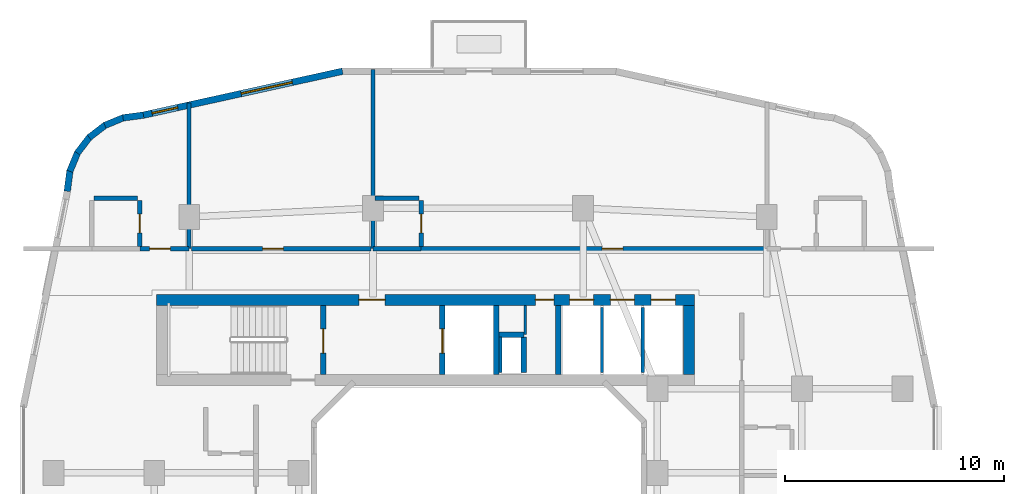
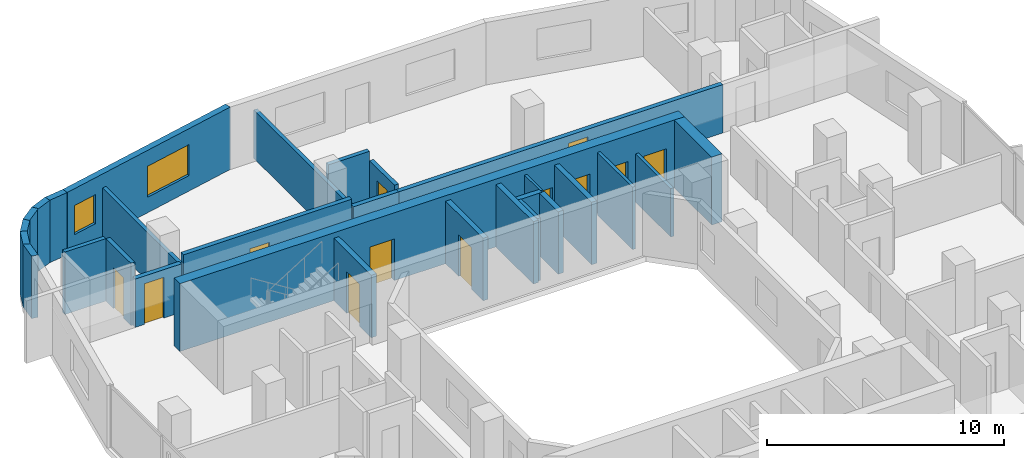
# One storey, part 11 of 22: 29 walls, 12 doors, 2 windows, 14 openings.
"""IFC4 building model written with IfcOpenShell, lengths in metres."""

from ifc_helpers import new_model, si_unit, derived_unit, direction, frame, frame_2d, origin, place, context, subcontext, project, spatial, rectangle, extrude, material, layer, layer_set, type_object, element, fill, save


model = new_model("IFC4")

# Units and contexts
model_context = context("Model", 3, precision=1e-05, world=origin(), true_north=direction((0.0, 1.0)))
body_context = subcontext(model_context, "Body", "Model", "MODEL_VIEW")
ifc_project = project(units=[si_unit("LENGTHUNIT", "METRE"), si_unit("AREAUNIT", "SQUARE_METRE"), si_unit("VOLUMEUNIT", "CUBIC_METRE"), si_unit("PLANEANGLEUNIT", "RADIAN"), si_unit("MASSUNIT", "GRAM", prefix="KILO"), derived_unit("THERMALTRANSMITTANCEUNIT", [(si_unit("POWERUNIT", "WATT"), 1), (si_unit("LENGTHUNIT", "METRE"), -2), (si_unit("THERMODYNAMICTEMPERATUREUNIT", "KELVIN"), -1)])], contexts=[model_context])

# Site, building, storey
site_placement = place(None, origin())
site = spatial("IfcSite", under=ifc_project, at=site_placement, CompositionType="ELEMENT")
building_placement = place(site_placement, origin())
building = spatial("IfcBuilding", under=site, at=building_placement, Name="Kivonza Crest Hotel", CompositionType="ELEMENT")
storey_placement = place(building_placement, frame((0.0, 0.0, 69.5)))
storey = spatial("IfcBuildingStorey", under=building, at=storey_placement, Name="L18", CompositionType="ELEMENT", Elevation=69.5)

# Walls
ifc_material_1 = material(Name="High-density acoustic masonry inter-tenancy wall", Category="masonry")
ifc_layer_1 = layer(ifc_material_1, 0.179931640625)
ifc_layer_set_1 = layer_set([ifc_layer_1], Name="High-density acoustic masonry inter-tenancy wall")
wall_type_1 = type_object("IfcWallType", Name="WL-ACOU-180", PredefinedType="SOLIDWALL", material=ifc_layer_set_1)
wall_1_placement = place(storey_placement, frame((7.800048828125, 38.75, 0.0), z_axis=(0.0, 0.0, 1.0), x_axis=(0.0, 1.0, 0.0)))
element("IfcWall", 1, at=wall_1_placement, inside=storey, type_object=wall_type_1, Name="L18 interior partition WA-L18-T1N-DIV1", PredefinedType="SOLIDWALL", context=body_context, shape_type="SweptSolid", body=[
    extrude(rectangle(XDim=6.656005859375, YDim=0.179931640625, at=frame_2d((3.328125, 0.0))), origin(), (0.0, 0.0, 1.0), 2.4951171875),
])
wall_2_placement = place(storey_placement, frame((16.199951171875, 38.75, 0.0), z_axis=(0.0, 0.0, 1.0), x_axis=(0.0, 1.0, 0.0)))
element("IfcWall", 2, at=wall_2_placement, inside=storey, type_object=wall_type_1, Name="L18 interior partition WA-L18-T1N-DIV2", PredefinedType="SOLIDWALL", context=body_context, shape_type="SweptSolid", body=[
    extrude(rectangle(XDim=8.18994140625, YDim=0.179931640625, at=frame_2d((4.094970703125, 0.0))), origin(), (0.0, 0.0, 1.0), 2.4951171875),
])

# Wall, opening, door
ifc_material_2 = material(Name="Autoclaved aerated concrete blockwork", Category="masonry")
ifc_layer_2 = layer(ifc_material_2, 0.219970703125)
ifc_layer_set_2 = layer_set([ifc_layer_2], Name="Autoclaved aerated concrete blockwork")
wall_type_2 = type_object("IfcWallType", Name="WL-ACOU-220", PredefinedType="SOLIDWALL", material=ifc_layer_set_2)
wall_3_placement = place(storey_placement, frame((5.550048828125, 38.75, 0.0), z_axis=(0.0, 0.0, 1.0), x_axis=(1.0, 0.0, 0.0)))
wall_3 = element("IfcWall", 3, at=wall_3_placement, inside=storey, type_object=wall_type_2, Name="L18 interior partition WA-L18-N01-MCORR", PredefinedType="SOLIDWALL", context=body_context, shape_type="SweptSolid", body=[
    extrude(rectangle(XDim=2.25, YDim=0.219970703125, at=frame_2d((1.125, 0.0))), origin(), (0.0, 0.0, 1.0), 2.4951171875),
])
opening_1_placement = place(wall_3_placement, frame((0.43994140625, 0.0, 0.0)))
opening_1 = element("IfcOpeningElement", 4, at=opening_1_placement, cuts=wall_3, Name="Opening DU-60", PredefinedType="OPENING", context=body_context, shape_type="SweptSolid", body=[
    extrude(rectangle(XDim=0.949951171875, YDim=2.10009765625, at=frame_2d((0.47509765625, 1.050048828125))), frame((0.0, 0.1201171875, 0.0), z_axis=(0.0, -1.0, 0.0), x_axis=(1.0, 0.0, 0.0)), (0.0, 0.0, 1.0), 0.239990234375),
])
ifc_material_3 = material(Name="Hardwood timber oak", Category="wood")
door_type_1 = type_object("IfcDoorType", Name="DR-UNIT-950", OperationType="NOTDEFINED", PredefinedType="DOOR", material=ifc_material_3)
door_1_placement = place(opening_1_placement, origin())
door_1 = element("IfcDoor", 5, at=door_1_placement, inside=storey, type_object=door_type_1, Name="L18 N01 guest unit entrance fire door", OperationType="SINGLE_SWING_LEFT", OverallHeight=2.10009765625, OverallWidth=0.949951171875, PredefinedType="DOOR", context=body_context, shape_type="SweptSolid", body=[
    extrude(rectangle(XDim=0.949951171875, YDim=2.10009765625, at=frame_2d((0.47509765625, 1.050048828125))), frame((0.0, 0.02490234375, 0.0), z_axis=(0.0, -1.0, 0.0), x_axis=(1.0, 0.0, 0.0)), (0.0, 0.0, 1.0), 0.050048828125),
])
fill(opening_1, door_1)

wall_4_placement = place(storey_placement, frame((7.89990234375, 38.75, 0.0), z_axis=(0.0, 0.0, 1.0), x_axis=(1.0, 0.0, 0.0)))
wall_4 = element("IfcWall", 6, at=wall_4_placement, inside=storey, type_object=wall_type_2, Name="L18 interior partition WA-L18-HK-MAIN-S", PredefinedType="SOLIDWALL", context=body_context, shape_type="SweptSolid", body=[
    extrude(rectangle(XDim=8.2001953125, YDim=0.219970703125, at=frame_2d((4.10009765625, 0.0))), origin(), (0.0, 0.0, 1.0), 2.925048828125),
])
opening_2_placement = place(wall_4_placement, frame((3.251953125, 0.0, 0.0)))
opening_2 = element("IfcOpeningElement", 7, at=opening_2_placement, cuts=wall_4, Name="Opening DF-60S", PredefinedType="OPENING", context=body_context, shape_type="SweptSolid", body=[
    extrude(rectangle(XDim=0.949951171875, YDim=2.10009765625, at=frame_2d((0.47509765625, 1.050048828125))), frame((0.0, 0.1201171875, 0.0), z_axis=(0.0, -1.0, 0.0), x_axis=(1.0, 0.0, 0.0)), (0.0, 0.0, 1.0), 0.239990234375),
])
door_type_2 = type_object("IfcDoorType", Name="DR-FD60-950", OperationType="NOTDEFINED", PredefinedType="DOOR", material=ifc_material_3)
door_2_placement = place(opening_2_placement, origin())
door_2 = element("IfcDoor", 8, at=door_2_placement, inside=storey, type_object=door_type_2, Name="L18 Housekeeping and Linen Room door", OperationType="SINGLE_SWING_RIGHT", OverallHeight=2.10009765625, OverallWidth=0.949951171875, PredefinedType="DOOR", context=body_context, shape_type="SweptSolid", body=[
    extrude(rectangle(XDim=0.949951171875, YDim=2.10009765625, at=frame_2d((0.47509765625, 1.050048828125))), frame((0.0, 0.02490234375, 0.0), z_axis=(0.0, -1.0, 0.0), x_axis=(1.0, 0.0, 0.0)), (0.0, 0.0, 1.0), 0.050048828125),
])
fill(opening_2, door_2)

# Wall
wall_5_placement = place(storey_placement, frame((16.199951171875, 38.75, 0.0), z_axis=(0.0, 0.0, 1.0), x_axis=(1.0, 0.0, 0.0)))
element("IfcWall", 9, at=wall_5_placement, inside=storey, type_object=wall_type_2, Name="L18 interior partition WA-L18-N02-BCORR", PredefinedType="SOLIDWALL", context=body_context, shape_type="SweptSolid", body=[
    extrude(rectangle(XDim=2.199951171875, YDim=0.219970703125, at=frame_2d((1.10009765625, 0.0))), origin(), (0.0, 0.0, 1.0), 2.4951171875),
])

# Wall, opening, door
wall_6_placement = place(storey_placement, frame((18.39990234375, 38.75, 0.0), z_axis=(0.0, 0.0, 1.0), x_axis=(1.0, 0.0, 0.0)))
wall_6 = element("IfcWall", 10, at=wall_6_placement, inside=storey, type_object=wall_type_2, Name="L18 interior partition WA-L18-N02-MCORR", PredefinedType="SOLIDWALL", context=body_context, shape_type="SweptSolid", body=[
    extrude(rectangle(XDim=15.800048828125, YDim=0.219970703125, at=frame_2d((7.89990234375, 0.0))), origin(), (0.0, 0.0, 1.0), 2.4951171875),
])
opening_3_placement = place(wall_6_placement, frame((8.27490234375, 0.0, 0.0)))
opening_3 = element("IfcOpeningElement", 11, at=opening_3_placement, cuts=wall_6, Name="Opening DU-60", PredefinedType="OPENING", context=body_context, shape_type="SweptSolid", body=[
    extrude(rectangle(XDim=0.949951171875, YDim=2.10009765625, at=frame_2d((0.47509765625, 1.050048828125))), frame((0.0, 0.1201171875, 0.0), z_axis=(0.0, -1.0, 0.0), x_axis=(1.0, 0.0, 0.0)), (0.0, 0.0, 1.0), 0.239990234375),
])
door_3_placement = place(opening_3_placement, origin())
door_3 = element("IfcDoor", 12, at=door_3_placement, inside=storey, type_object=door_type_1, Name="L18 N02 guest unit entrance fire door", OperationType="SINGLE_SWING_RIGHT", OverallHeight=2.10009765625, OverallWidth=0.949951171875, PredefinedType="DOOR", context=body_context, shape_type="SweptSolid", body=[
    extrude(rectangle(XDim=0.949951171875, YDim=2.10009765625, at=frame_2d((0.47509765625, 1.050048828125))), frame((0.0, 0.02490234375, 0.0), z_axis=(0.0, -1.0, 0.0), x_axis=(1.0, 0.0, 0.0)), (0.0, 0.0, 1.0), 0.050048828125),
])
fill(opening_3, door_3)

# Wall, openings, doors
ifc_material_4 = material(Name="Concrete C60/75", Category="concrete")
ifc_layer_3 = layer(ifc_material_4, 0.5)
ifc_layer_set_3 = layer_set([ifc_layer_3], Name="Concrete C60/75")
wall_type_3 = type_object("IfcWallType", Name="WL-CORE-500", PredefinedType="SHEAR", material=ifc_layer_set_3)
wall_7_placement = place(storey_placement, frame((6.300048828125, 36.409912109375, 0.0), z_axis=(0.0, 0.0, 1.0), x_axis=(1.0, 0.0, 0.0)))
wall_7 = element("IfcWall", 13, at=wall_7_placement, inside=storey, type_object=wall_type_3, Name="Core wall T1-N North L18", PredefinedType="SHEAR", context=body_context, shape_type="SweptSolid", body=[
    extrude(rectangle(XDim=24.599853515625, YDim=0.5, at=frame_2d((12.2998046875, 0.0))), origin(), (0.0, 0.0, 1.0), 3.5),
])
opening_4_placement = place(wall_7_placement, frame((9.25, 0.0, 0.0)))
opening_4 = element("IfcOpeningElement", 14, at=opening_4_placement, cuts=wall_7, Name="Opening DF-60", PredefinedType="OPENING", context=body_context, shape_type="SweptSolid", body=[
    extrude(rectangle(XDim=1.199951171875, YDim=2.14990234375, at=frame_2d((0.60009765625, 1.074951171875))), frame((0.0, 0.260009765625, 0.0), z_axis=(0.0, -1.0, 0.0), x_axis=(1.0, 0.0, 0.0)), (0.0, 0.0, 1.0), 0.52001953125),
])
opening_5_placement = place(wall_7_placement, frame((17.320068359375, 0.0, 0.0)))
opening_5 = element("IfcOpeningElement", 15, at=opening_5_placement, cuts=wall_7, Name="Opening DF-60R", PredefinedType="OPENING", context=body_context, shape_type="SweptSolid", body=[
    extrude(rectangle(XDim=0.85009765625, YDim=2.10009765625, at=frame_2d((0.425048828125, 1.050048828125))), frame((0.0, 0.260009765625, 0.0), z_axis=(0.0, -1.0, 0.0), x_axis=(1.0, 0.0, 0.0)), (0.0, 0.0, 1.0), 0.52001953125),
])
opening_6_placement = place(wall_7_placement, frame((18.883056640625, 0.0, 0.0)))
opening_6 = element("IfcOpeningElement", 16, at=opening_6_placement, cuts=wall_7, Name="Opening LD-120", PredefinedType="OPENING", context=body_context, shape_type="SweptSolid", body=[
    extrude(rectangle(XDim=1.10009765625, YDim=2.14990234375, at=frame_2d((0.550048828125, 1.074951171875))), frame((0.0, 0.260009765625, 0.0), z_axis=(0.0, -1.0, 0.0), x_axis=(1.0, 0.0, 0.0)), (0.0, 0.0, 1.0), 0.52001953125),
])
opening_7_placement = place(wall_7_placement, frame((20.75, 0.0, 0.0)))
opening_7 = element("IfcOpeningElement", 17, at=opening_7_placement, cuts=wall_7, Name="Opening LD-120", PredefinedType="OPENING", context=body_context, shape_type="SweptSolid", body=[
    extrude(rectangle(XDim=1.10009765625, YDim=2.14990234375, at=frame_2d((0.550048828125, 1.074951171875))), frame((0.0, 0.260009765625, 0.0), z_axis=(0.0, -1.0, 0.0), x_axis=(1.0, 0.0, 0.0)), (0.0, 0.0, 1.0), 0.52001953125),
])
opening_8_placement = place(wall_7_placement, frame((22.615966796875, 0.0, 0.0)))
opening_8 = element("IfcOpeningElement", 18, at=opening_8_placement, cuts=wall_7, Name="Opening LD-120", PredefinedType="OPENING", context=body_context, shape_type="SweptSolid", body=[
    extrude(rectangle(XDim=1.10009765625, YDim=2.14990234375, at=frame_2d((0.550048828125, 1.074951171875))), frame((0.0, 0.260009765625, 0.0), z_axis=(0.0, -1.0, 0.0), x_axis=(1.0, 0.0, 0.0)), (0.0, 0.0, 1.0), 0.52001953125),
])
door_type_3 = type_object("IfcDoorType", Name="DR-FD60-1200", OperationType="NOTDEFINED", PredefinedType="DOOR", material=ifc_material_3)
door_4_placement = place(opening_4_placement, origin())
door_4 = element("IfcDoor", 19, at=door_4_placement, inside=storey, type_object=door_type_3, Name="L18 T1-N firefighting lobby fire door", OperationType="SINGLE_SWING_RIGHT", OverallHeight=2.14990234375, OverallWidth=1.199951171875, PredefinedType="DOOR", context=body_context, shape_type="SweptSolid", body=[
    extrude(rectangle(XDim=1.199951171875, YDim=2.14990234375, at=frame_2d((0.60009765625, 1.074951171875))), frame((0.0, 0.02490234375, 0.0), z_axis=(0.0, -1.0, 0.0), x_axis=(1.0, 0.0, 0.0)), (0.0, 0.0, 1.0), 0.050048828125),
])
fill(opening_4, door_4)
door_type_4 = type_object("IfcDoorType", Name="DR-FD60-850", OperationType="NOTDEFINED", PredefinedType="DOOR", material=ifc_material_3)
door_5_placement = place(opening_5_placement, origin())
door_5 = element("IfcDoor", 20, at=door_5_placement, inside=storey, type_object=door_type_4, Name="L18 T1-N core room door", OperationType="SINGLE_SWING_RIGHT", OverallHeight=2.10009765625, OverallWidth=0.85009765625, PredefinedType="DOOR", context=body_context, shape_type="SweptSolid", body=[
    extrude(rectangle(XDim=0.85009765625, YDim=2.10009765625, at=frame_2d((0.425048828125, 1.050048828125))), frame((0.0, 0.02490234375, 0.0), z_axis=(0.0, -1.0, 0.0), x_axis=(1.0, 0.0, 0.0)), (0.0, 0.0, 1.0), 0.050048828125),
])
fill(opening_5, door_5)
ifc_material_5 = material(Name="Stainless steel", Category="steel")
door_type_5 = type_object("IfcDoorType", Name="DR-LD120-1100", OperationType="NOTDEFINED", PredefinedType="DOOR", material=ifc_material_5)
door_6_placement = place(opening_6_placement, origin())
door_6 = element("IfcDoor", 21, at=door_6_placement, inside=storey, type_object=door_type_5, Name="L18 PL-T1-L1 passenger lift sliding landing door", OperationType="DOUBLE_DOOR_SLIDING", OverallHeight=2.14990234375, OverallWidth=1.10009765625, PredefinedType="DOOR", context=body_context, shape_type="SweptSolid", body=[
    extrude(rectangle(XDim=1.10009765625, YDim=2.14990234375, at=frame_2d((0.550048828125, 1.074951171875))), frame((0.0, 0.02490234375, 0.0), z_axis=(0.0, -1.0, 0.0), x_axis=(1.0, 0.0, 0.0)), (0.0, 0.0, 1.0), 0.050048828125),
])
fill(opening_6, door_6)
door_7_placement = place(opening_7_placement, origin())
door_7 = element("IfcDoor", 22, at=door_7_placement, inside=storey, type_object=door_type_5, Name="L18 PL-T1-L2 passenger lift sliding landing door", OperationType="DOUBLE_DOOR_SLIDING", OverallHeight=2.14990234375, OverallWidth=1.10009765625, PredefinedType="DOOR", context=body_context, shape_type="SweptSolid", body=[
    extrude(rectangle(XDim=1.10009765625, YDim=2.14990234375, at=frame_2d((0.550048828125, 1.074951171875))), frame((0.0, 0.02490234375, 0.0), z_axis=(0.0, -1.0, 0.0), x_axis=(1.0, 0.0, 0.0)), (0.0, 0.0, 1.0), 0.050048828125),
])
fill(opening_7, door_7)
door_8_placement = place(opening_8_placement, origin())
door_8 = element("IfcDoor", 23, at=door_8_placement, inside=storey, type_object=door_type_5, Name="L18 PL-T1-L3 passenger lift sliding landing door", OperationType="DOUBLE_DOOR_SLIDING", OverallHeight=2.14990234375, OverallWidth=1.10009765625, PredefinedType="DOOR", context=body_context, shape_type="SweptSolid", body=[
    extrude(rectangle(XDim=1.10009765625, YDim=2.14990234375, at=frame_2d((0.550048828125, 1.074951171875))), frame((0.0, 0.02490234375, 0.0), z_axis=(0.0, -1.0, 0.0), x_axis=(1.0, 0.0, 0.0)), (0.0, 0.0, 1.0), 0.050048828125),
])
fill(opening_8, door_8)

# Wall
wall_8_placement = place(storey_placement, frame((30.64990234375, 33.0, 0.0), z_axis=(0.0, 0.0, 1.0), x_axis=(0.0, 1.0, 0.0)))
element("IfcWall", 24, at=wall_8_placement, inside=storey, type_object=wall_type_3, Name="Core wall T1-N East L18", PredefinedType="SHEAR", context=body_context, shape_type="SweptSolid", body=[
    extrude(rectangle(XDim=3.159912109375, YDim=0.5, at=frame_2d((1.580078125, 0.0))), origin(), (0.0, 0.0, 1.0), 3.5),
])

# Wall, openings, windows
ifc_material_6 = material(Name="Precast concrete C40/50", Category="concrete")
ifc_layer_4 = layer(ifc_material_6, 0.300048828125)
ifc_layer_set_4 = layer_set([ifc_layer_4], Name="Precast concrete C40/50")
wall_type_4 = type_object("IfcWallType", Name="WL-EXT-300", PredefinedType="STANDARD", material=ifc_layer_set_4)
wall_9_placement = place(storey_placement, frame((14.80810546875, 46.85888671875, 0.0), z_axis=(0.0, 0.0, 1.0), x_axis=(-0.976555357219, -0.21526642629, 0.0)))
wall_9 = element("IfcWall", 25, at=wall_9_placement, inside=storey, type_object=wall_type_4, Name="L18 T1 exterior insulated wall 27", PredefinedType="STANDARD", context=body_context, shape_type="SweptSolid", body=[
    extrude(rectangle(XDim=9.322509765625, YDim=0.300048828125, at=frame_2d((4.6611328125, 0.0))), origin(), (0.0, 0.0, 1.0), 3.219970703125),
])
opening_9_placement = place(wall_9_placement, frame((2.347900390625, 0.0, 0.800048828125)))
opening_9 = element("IfcOpeningElement", 26, at=opening_9_placement, cuts=wall_9, Name="Opening WN-05", PredefinedType="OPENING", context=body_context, shape_type="SweptSolid", body=[
    extrude(rectangle(XDim=2.39990234375, YDim=1.60009765625, at=frame_2d((1.199951171875, 0.800048828125))), frame((0.0, 0.16015625, 0.0), z_axis=(0.0, -1.0, 0.0), x_axis=(1.0, 0.0, 0.0)), (0.0, 0.0, 1.0), 0.320068359375),
])
opening_10_placement = place(wall_9_placement, frame((7.715087890625, 0.0, 0.85009765625)))
opening_10 = element("IfcOpeningElement", 27, at=opening_10_placement, cuts=wall_9, Name="Opening WN-01", PredefinedType="OPENING", context=body_context, shape_type="SweptSolid", body=[
    extrude(rectangle(XDim=1.199951171875, YDim=1.5, at=frame_2d((0.60009765625, 0.75))), frame((0.0, 0.16015625, 0.0), z_axis=(0.0, -1.0, 0.0), x_axis=(1.0, 0.0, 0.0)), (0.0, 0.0, 1.0), 0.320068359375),
])
ifc_material_7 = material(Name="Thermally broken bronze aluminium and low-E double glazing", Category="aluminium")
window_type_1 = type_object("IfcWindowType", Name="WN-120x150", PartitioningType="SINGLE_PANEL", PredefinedType="WINDOW", material=ifc_material_7)
window_1_placement = place(opening_10_placement, origin())
window_1 = element("IfcWindow", 28, at=window_1_placement, inside=storey, type_object=window_type_1, Name="L18 T1 facade window 27 bay 2", OverallHeight=1.5, OverallWidth=1.199951171875, PartitioningType="SINGLE_PANEL", PredefinedType="WINDOW", context=body_context, shape_type="SweptSolid", body=[
    extrude(rectangle(XDim=1.199951171875, YDim=1.5, at=frame_2d((0.60009765625, 0.75))), frame((0.0, 0.030029296875, 0.0), z_axis=(0.0, -1.0, 0.0), x_axis=(1.0, 0.0, 0.0)), (0.0, 0.0, 1.0), 0.06005859375),
])
fill(opening_10, window_1)
window_type_2 = type_object("IfcWindowType", Name="WN-240x160", PartitioningType="TRIPLE_PANEL_VERTICAL", PredefinedType="WINDOW", material=ifc_material_7)
window_2_placement = place(opening_9_placement, origin())
window_2 = element("IfcWindow", 29, at=window_2_placement, inside=storey, type_object=window_type_2, Name="L18 T1 facade window 27 bay 1", OverallHeight=1.60009765625, OverallWidth=2.39990234375, PartitioningType="SINGLE_PANEL", PredefinedType="WINDOW", context=body_context, shape_type="SweptSolid", body=[
    extrude(rectangle(XDim=2.39990234375, YDim=1.60009765625, at=frame_2d((1.199951171875, 0.800048828125))), frame((0.0, 0.030029296875, 0.0), z_axis=(0.0, -1.0, 0.0), x_axis=(1.0, 0.0, 0.0)), (0.0, 0.0, 1.0), 0.06005859375),
])
fill(opening_9, window_2)

# Walls
wall_10_placement = place(storey_placement, frame((5.7080078125, 44.85205078125, 0.0), z_axis=(0.0, 0.0, 1.0), x_axis=(-0.991359246108, -0.131174864804, 0.0)))
element("IfcWall", 30, at=wall_10_placement, inside=storey, type_object=wall_type_4, Name="L18 T1 exterior insulated wall 28", PredefinedType="STANDARD", context=body_context, shape_type="SweptSolid", body=[
    extrude(rectangle(XDim=0.93798828125, YDim=0.300048828125, at=frame_2d((0.468994140625, 0.0))), origin(), (0.0, 0.0, 1.0), 3.219970703125),
])
wall_11_placement = place(storey_placement, frame((4.827880859375, 44.748046875, 0.0), z_axis=(0.0, 0.0, 1.0), x_axis=(-0.923982547689, -0.382434636986, 0.0)))
element("IfcWall", 31, at=wall_11_placement, inside=storey, type_object=wall_type_4, Name="L18 T1 exterior insulated wall 29", PredefinedType="STANDARD", context=body_context, shape_type="SweptSolid", body=[
    extrude(rectangle(XDim=0.954345703125, YDim=0.300048828125, at=frame_2d((0.47705078125, 0.0))), origin(), (0.0, 0.0, 1.0), 3.219970703125),
])
for number, where, z_axis, x_axis, name in (
    (32, (3.990966796875, 44.4140625, 0.0), (0.0, 0.0, 1.0), (-0.793668068435, -0.608351047625, 0.0), "L18 T1 exterior insulated wall 30"),
    (33, (3.26806640625, 43.875, 0.0), (0.0, 0.0, 1.0), (-0.608351047625, -0.793668068435, 0.0), "L18 T1 exterior insulated wall 31"),
):
    element("IfcWall", number, at=place(storey_placement, frame(where, z_axis=z_axis, x_axis=x_axis)), inside=storey, type_object=wall_type_4, Name=name, PredefinedType="STANDARD", context=body_context, shape_type="SweptSolid", body=[
        extrude(rectangle(XDim=0.955078125, YDim=0.300048828125, at=frame_2d((0.4775390625, 0.0))), origin(), (0.0, 0.0, 1.0), 3.219970703125),
    ])
wall_12_placement = place(storey_placement, frame((2.7109375, 43.166015625, 0.0), z_axis=(0.0, 0.0, 1.0), x_axis=(-0.382344263057, -0.924019948111, 0.0)))
element("IfcWall", 34, at=wall_12_placement, inside=storey, type_object=wall_type_4, Name="L18 T1 exterior insulated wall 32", PredefinedType="STANDARD", context=body_context, shape_type="SweptSolid", body=[
    extrude(rectangle(XDim=0.95458984375, YDim=0.300048828125, at=frame_2d((0.477294921875, 0.0))), origin(), (0.0, 0.0, 1.0), 3.219970703125),
])
wall_13_placement = place(storey_placement, frame((2.35498046875, 42.3369140625, 0.0), z_axis=(0.0, 0.0, 1.0), x_axis=(-0.130454512571, -0.991454295543, 0.0)))
element("IfcWall", 35, at=wall_13_placement, inside=storey, type_object=wall_type_4, Name="L18 T1 exterior insulated wall 33", PredefinedType="STANDARD", context=body_context, shape_type="SweptSolid", body=[
    extrude(rectangle(XDim=0.97314453125, YDim=0.300048828125, at=frame_2d((0.486572265625, 0.0))), origin(), (0.0, 0.0, 1.0), 3.219970703125),
])
ifc_material_8 = material(Name="Concrete blockwork fire-compartment wall", Category="masonry")
ifc_layer_5 = layer(ifc_material_8, 0.25)
ifc_layer_set_5 = layer_set([ifc_layer_5], Name="Concrete blockwork fire-compartment wall")
wall_type_5 = type_object("IfcWallType", Name="WL-FIRE-250", PredefinedType="SOLIDWALL", material=ifc_layer_set_5)
wall_14_placement = place(storey_placement, frame((23.10009765625, 33.10009765625, 0.0), z_axis=(0.0, 0.0, 1.0), x_axis=(0.0, 1.0, 0.0)))
element("IfcWall", 36, at=wall_14_placement, inside=storey, type_object=wall_type_5, Name="L18 interior partition WA-L18-T1-N-MEPR-E", PredefinedType="SOLIDWALL", context=body_context, shape_type="SweptSolid", body=[
    extrude(rectangle(XDim=1.619873046875, YDim=0.25, at=frame_2d((0.81005859375, 0.0))), origin(), (0.0, 0.0, 1.0), 3.219970703125),
])
wall_15_placement = place(storey_placement, frame((21.949951171875, 34.820068359375, 0.0), z_axis=(0.0, 0.0, 1.0), x_axis=(1.0, 0.0, 0.0)))
element("IfcWall", 37, at=wall_15_placement, inside=storey, type_object=wall_type_5, Name="L18 interior partition WA-L18-T1-N-MEPR-H", PredefinedType="SOLIDWALL", context=body_context, shape_type="SweptSolid", body=[
    extrude(rectangle(XDim=1.150146484375, YDim=0.25, at=frame_2d((0.5751953125, 0.0))), origin(), (0.0, 0.0, 1.0), 3.219970703125),
])
ifc_material_9 = material(Name="Metal-stud gypsum board partition", Category="gypsum")
ifc_layer_6 = layer(ifc_material_9, 0.125)
ifc_layer_set_6 = layer_set([ifc_layer_6], Name="Metal-stud gypsum board partition")
wall_type_6 = type_object("IfcWallType", Name="WL-PART-125", PredefinedType="PARTITIONING", material=ifc_layer_set_6)
wall_16_placement = place(storey_placement, frame((23.159912109375, 34.820068359375, 0.0), z_axis=(0.0, 0.0, 1.0), x_axis=(0.0, 1.0, 0.0)))
element("IfcWall", 38, at=wall_16_placement, inside=storey, type_object=wall_type_6, Name="L18 interior partition WP-L18-T1-N-SV1V", PredefinedType="PARTITIONING", context=body_context, shape_type="SweptSolid", body=[
    extrude(rectangle(XDim=1.33984375, YDim=0.125, at=frame_2d((0.669921875, 0.0))), origin(), (0.0, 0.0, 1.0), 3.219970703125),
])
ifc_material_10 = material(Name="Twin-stud acoustic gypsum board partition", Category="gypsum")
ifc_layer_7 = layer(ifc_material_10, 0.14990234375)
ifc_layer_set_7 = layer_set([ifc_layer_7], Name="Twin-stud acoustic gypsum board partition")
wall_type_7 = type_object("IfcWallType", Name="WL-PART-150", PredefinedType="PARTITIONING", material=ifc_layer_set_7)
wall_17_placement = place(storey_placement, frame((22.030029296875, 33.10009765625, 0.0), z_axis=(0.0, 0.0, 1.0), x_axis=(0.0, 1.0, 0.0)))
element("IfcWall", 39, at=wall_17_placement, inside=storey, type_object=wall_type_7, Name="L18 interior partition WA-L18-T1-N-MEPR-W", PredefinedType="PARTITIONING", context=body_context, shape_type="SweptSolid", body=[
    extrude(rectangle(XDim=1.619873046875, YDim=0.14990234375, at=frame_2d((0.81005859375, 0.0))), origin(), (0.0, 0.0, 1.0), 3.219970703125),
])
wall_18_placement = place(storey_placement, frame((26.6669921875, 33.10009765625, 0.0), z_axis=(0.0, 0.0, 1.0), x_axis=(0.0, 1.0, 0.0)))
element("IfcWall", 40, at=wall_18_placement, inside=storey, type_object=wall_type_7, Name="L18 interior partition WP-L18-T1-N-BSH-1", PredefinedType="PARTITIONING", context=body_context, shape_type="SweptSolid", body=[
    extrude(rectangle(XDim=2.9599609375, YDim=0.14990234375, at=frame_2d((1.47998046875, 0.0))), origin(), (0.0, 0.0, 1.0), 3.219970703125),
])
wall_19_placement = place(storey_placement, frame((28.532958984375, 33.10009765625, 0.0), z_axis=(0.0, 0.0, 1.0), x_axis=(0.0, 1.0, 0.0)))
element("IfcWall", 41, at=wall_19_placement, inside=storey, type_object=wall_type_7, Name="L18 interior partition WP-L18-T1-N-BSH-2", PredefinedType="PARTITIONING", context=body_context, shape_type="SweptSolid", body=[
    extrude(rectangle(XDim=2.9599609375, YDim=0.14990234375, at=frame_2d((1.47998046875, 0.0))), origin(), (0.0, 0.0, 1.0), 2.4951171875),
])

# Wall, opening, door
ifc_material_11 = material(Name="Moisture-resistant plumbing chase partition wall", Category="gypsum")
ifc_layer_8 = layer(ifc_material_11, 0.199951171875)
ifc_layer_set_8 = layer_set([ifc_layer_8], Name="Moisture-resistant plumbing chase partition wall")
wall_type_8 = type_object("IfcWallType", Name="WL-PLUMB-200", PredefinedType="PLUMBINGWALL", material=ifc_layer_set_8)
wall_20_placement = place(storey_placement, frame((5.550048828125, 38.85009765625, 0.0), z_axis=(0.0, 0.0, 1.0), x_axis=(0.0, 1.0, 0.0)))
wall_20 = element("IfcWall", 42, at=wall_20_placement, inside=storey, type_object=wall_type_8, Name="L18 interior partition WW-L18-N01-BV", PredefinedType="PLUMBINGWALL", context=body_context, shape_type="SweptSolid", body=[
    extrude(rectangle(XDim=2.099853515625, YDim=0.199951171875, at=frame_2d((1.0498046875, 0.0))), origin(), (0.0, 0.0, 1.0), 3.219970703125),
])
opening_11_placement = place(wall_20_placement, frame((0.625, 0.0, 0.0)))
opening_11 = element("IfcOpeningElement", 43, at=opening_11_placement, cuts=wall_20, Name="Opening DI-85", PredefinedType="OPENING", context=body_context, shape_type="SweptSolid", body=[
    extrude(rectangle(XDim=0.85009765625, YDim=2.10009765625, at=frame_2d((0.425048828125, 1.050048828125))), frame((0.0, 0.10986328125, 0.0), z_axis=(0.0, -1.0, 0.0), x_axis=(1.0, 0.0, 0.0)), (0.0, 0.0, 1.0), 0.219970703125),
])
door_type_6 = type_object("IfcDoorType", Name="DR-INT-850", OperationType="NOTDEFINED", PredefinedType="DOOR", material=ifc_material_3)
door_9_placement = place(opening_11_placement, frame((0.85009765625, 0.0, 0.0), z_axis=(0.0, 0.0, 1.0), x_axis=(-1.0, 0.0, 0.0)))
door_9 = element("IfcDoor", 44, at=door_9_placement, inside=storey, type_object=door_type_6, Name="L18 N01 en-suite bathroom door", OperationType="SINGLE_SWING_RIGHT", OverallHeight=2.10009765625, OverallWidth=0.85009765625, PredefinedType="DOOR", context=body_context, shape_type="SweptSolid", body=[
    extrude(rectangle(XDim=0.85009765625, YDim=2.10009765625, at=frame_2d((0.425048828125, 1.050048828125))), frame((0.0, 0.02490234375, 0.0), z_axis=(0.0, -1.0, 0.0), x_axis=(1.0, 0.0, 0.0)), (0.0, 0.0, 1.0), 0.050048828125),
])
fill(opening_11, door_9)

# Wall
wall_21_placement = place(storey_placement, frame((3.449951171875, 41.050048828125, 0.0), z_axis=(0.0, 0.0, 1.0), x_axis=(1.0, 0.0, 0.0)))
element("IfcWall", 45, at=wall_21_placement, inside=storey, type_object=wall_type_8, Name="L18 interior partition WW-L18-N01-BH", PredefinedType="PLUMBINGWALL", context=body_context, shape_type="SweptSolid", body=[
    extrude(rectangle(XDim=2.0, YDim=0.199951171875, at=frame_2d((1.0, 0.0))), origin(), (0.0, 0.0, 1.0), 3.219970703125),
])

# Wall, opening, door
wall_22_placement = place(storey_placement, frame((18.39990234375, 38.85009765625, 0.0), z_axis=(0.0, 0.0, 1.0), x_axis=(0.0, 1.0, 0.0)))
wall_22 = element("IfcWall", 46, at=wall_22_placement, inside=storey, type_object=wall_type_8, Name="L18 interior partition WW-L18-N02-BV", PredefinedType="PLUMBINGWALL", context=body_context, shape_type="SweptSolid", body=[
    extrude(rectangle(XDim=2.099853515625, YDim=0.199951171875, at=frame_2d((1.0498046875, 0.0))), origin(), (0.0, 0.0, 1.0), 2.7451171875),
])
opening_12_placement = place(wall_22_placement, frame((0.625, 0.0, 0.0)))
opening_12 = element("IfcOpeningElement", 47, at=opening_12_placement, cuts=wall_22, Name="Opening DI-85", PredefinedType="OPENING", context=body_context, shape_type="SweptSolid", body=[
    extrude(rectangle(XDim=0.85009765625, YDim=2.10009765625, at=frame_2d((0.425048828125, 1.050048828125))), frame((0.0, 0.10986328125, 0.0), z_axis=(0.0, -1.0, 0.0), x_axis=(1.0, 0.0, 0.0)), (0.0, 0.0, 1.0), 0.219970703125),
])
door_10_placement = place(opening_12_placement, frame((0.85009765625, 0.0, 0.0), z_axis=(0.0, 0.0, 1.0), x_axis=(-1.0, 0.0, 0.0)))
door_10 = element("IfcDoor", 48, at=door_10_placement, inside=storey, type_object=door_type_6, Name="L18 N02 en-suite bathroom door", OperationType="SINGLE_SWING_LEFT", OverallHeight=2.10009765625, OverallWidth=0.85009765625, PredefinedType="DOOR", context=body_context, shape_type="SweptSolid", body=[
    extrude(rectangle(XDim=0.85009765625, YDim=2.10009765625, at=frame_2d((0.425048828125, 1.050048828125))), frame((0.0, 0.02490234375, 0.0), z_axis=(0.0, -1.0, 0.0), x_axis=(1.0, 0.0, 0.0)), (0.0, 0.0, 1.0), 0.050048828125),
])
fill(opening_12, door_10)

# Wall
wall_23_placement = place(storey_placement, frame((16.300048828125, 41.050048828125, 0.0), z_axis=(0.0, 0.0, 1.0), x_axis=(1.0, 0.0, 0.0)))
element("IfcWall", 49, at=wall_23_placement, inside=storey, type_object=wall_type_8, Name="L18 interior partition WW-L18-N02-BH", PredefinedType="PLUMBINGWALL", context=body_context, shape_type="SweptSolid", body=[
    extrude(rectangle(XDim=2.0, YDim=0.199951171875, at=frame_2d((1.0, 0.0))), origin(), (0.0, 0.0, 1.0), 3.219970703125),
])

# Wall, opening, door
ifc_material_12 = material(Name="Concrete C50/60", Category="concrete")
ifc_layer_9 = layer(ifc_material_12, 0.25)
ifc_layer_set_9 = layer_set([ifc_layer_9], Name="Concrete C50/60")
wall_type_9 = type_object("IfcWallType", Name="WL-SHAFT-250", PredefinedType="STANDARD", material=ifc_layer_set_9)
wall_24_placement = place(storey_placement, frame((13.925048828125, 33.0, 0.0), z_axis=(0.0, 0.0, 1.0), x_axis=(0.0, 1.0, 0.0)))
wall_24 = element("IfcWall", 50, at=wall_24_placement, inside=storey, type_object=wall_type_9, Name="Core shaft wall T1-N STAIR L18", PredefinedType="STANDARD", context=body_context, shape_type="SweptSolid", body=[
    extrude(rectangle(XDim=3.159912109375, YDim=0.25, at=frame_2d((1.580078125, 0.0))), origin(), (0.0, 0.0, 1.0), 3.219970703125),
])
opening_13_placement = place(wall_24_placement, frame((0.97998046875, 0.0, 0.0)))
opening_13 = element("IfcOpeningElement", 51, at=opening_13_placement, cuts=wall_24, Name="Opening DF-120", PredefinedType="OPENING", context=body_context, shape_type="SweptSolid", body=[
    extrude(rectangle(XDim=1.10009765625, YDim=2.14990234375, at=frame_2d((0.550048828125, 1.074951171875))), frame((0.0, 0.135009765625, 0.0), z_axis=(0.0, -1.0, 0.0), x_axis=(1.0, 0.0, 0.0)), (0.0, 0.0, 1.0), 0.27001953125),
])
ifc_material_13 = material(Name="Galvanised steel", Category="steel")
door_type_7 = type_object("IfcDoorType", Name="DR-FD120-1100", OperationType="NOTDEFINED", PredefinedType="DOOR", material=ifc_material_13)
door_11_placement = place(opening_13_placement, frame((1.10009765625, 0.0, 0.0), z_axis=(0.0, 0.0, 1.0), x_axis=(-1.0, 0.0, 0.0)))
door_11 = element("IfcDoor", 52, at=door_11_placement, inside=storey, type_object=door_type_7, Name="L18 T1-N stair fire door", OperationType="SINGLE_SWING_LEFT", OverallHeight=2.14990234375, OverallWidth=1.10009765625, PredefinedType="DOOR", context=body_context, shape_type="SweptSolid", body=[
    extrude(rectangle(XDim=1.10009765625, YDim=2.14990234375, at=frame_2d((0.550048828125, 1.074951171875))), frame((0.0, 0.02490234375, 0.0), z_axis=(0.0, -1.0, 0.0), x_axis=(1.0, 0.0, 0.0)), (0.0, 0.0, 1.0), 0.050048828125),
])
fill(opening_13, door_11)

wall_25_placement = place(storey_placement, frame((19.375, 33.0, 0.0), z_axis=(0.0, 0.0, 1.0), x_axis=(0.0, 1.0, 0.0)))
wall_25 = element("IfcWall", 53, at=wall_25_placement, inside=storey, type_object=wall_type_9, Name="Core shaft wall T1-N FFL-W L18", PredefinedType="STANDARD", context=body_context, shape_type="SweptSolid", body=[
    extrude(rectangle(XDim=3.159912109375, YDim=0.25, at=frame_2d((1.580078125, 0.0))), origin(), (0.0, 0.0, 1.0), 3.219970703125),
])
opening_14_placement = place(wall_25_placement, frame((0.97998046875, 0.0, 0.0)))
opening_14 = element("IfcOpeningElement", 54, at=opening_14_placement, cuts=wall_25, Name="Opening LD-120", PredefinedType="OPENING", context=body_context, shape_type="SweptSolid", body=[
    extrude(rectangle(XDim=1.10009765625, YDim=2.14990234375, at=frame_2d((0.550048828125, 1.074951171875))), frame((0.0, 0.135009765625, 0.0), z_axis=(0.0, -1.0, 0.0), x_axis=(1.0, 0.0, 0.0)), (0.0, 0.0, 1.0), 0.27001953125),
])
door_12_placement = place(opening_14_placement, origin())
door_12 = element("IfcDoor", 55, at=door_12_placement, inside=storey, type_object=door_type_5, Name="L18 FFL-T1-N firefighting lift sliding landing door", OperationType="DOUBLE_DOOR_SLIDING", OverallHeight=2.14990234375, OverallWidth=1.10009765625, PredefinedType="DOOR", context=body_context, shape_type="SweptSolid", body=[
    extrude(rectangle(XDim=1.10009765625, YDim=2.14990234375, at=frame_2d((0.550048828125, 1.074951171875))), frame((0.0, 0.02490234375, 0.0), z_axis=(0.0, -1.0, 0.0), x_axis=(1.0, 0.0, 0.0)), (0.0, 0.0, 1.0), 0.050048828125),
])
fill(opening_14, door_12)

# Walls
for number, where, z_axis, x_axis, name in (
    (56, (21.824951171875, 33.0, 0.0), (0.0, 0.0, 1.0), (0.0, 1.0, 0.0), "Core shaft wall T1-N FFL-E L18"),
    (57, (24.675048828125, 33.0, 0.0), (0.0, 0.0, 1.0), (0.0, 1.0, 0.0), "Core shaft wall T1-N BANK-W L18"),
):
    element("IfcWall", number, at=place(storey_placement, frame(where, z_axis=z_axis, x_axis=x_axis)), inside=storey, type_object=wall_type_9, Name=name, PredefinedType="STANDARD", context=body_context, shape_type="SweptSolid", body=[
        extrude(rectangle(XDim=3.159912109375, YDim=0.25, at=frame_2d((1.580078125, 0.0))), origin(), (0.0, 0.0, 1.0), 3.219970703125),
    ])

save(model, "model.ifc")
